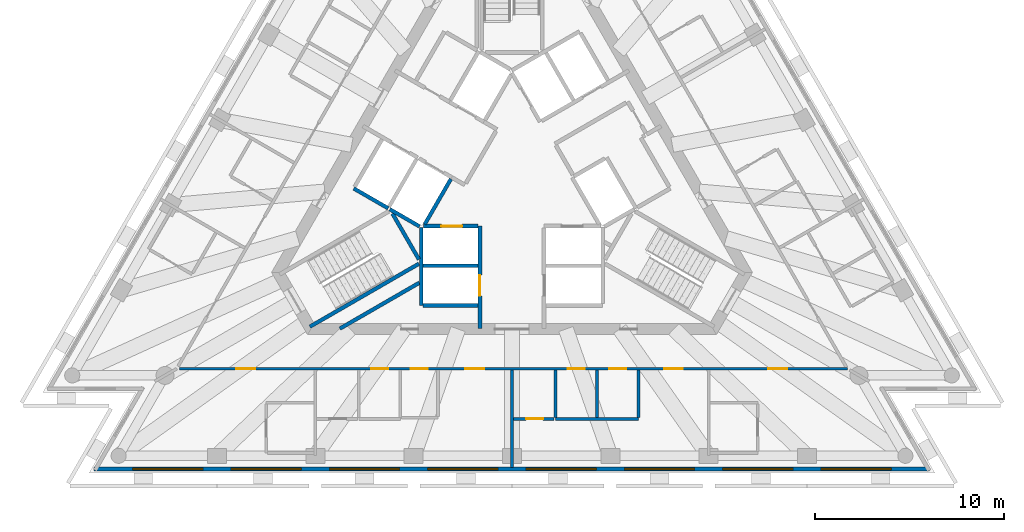
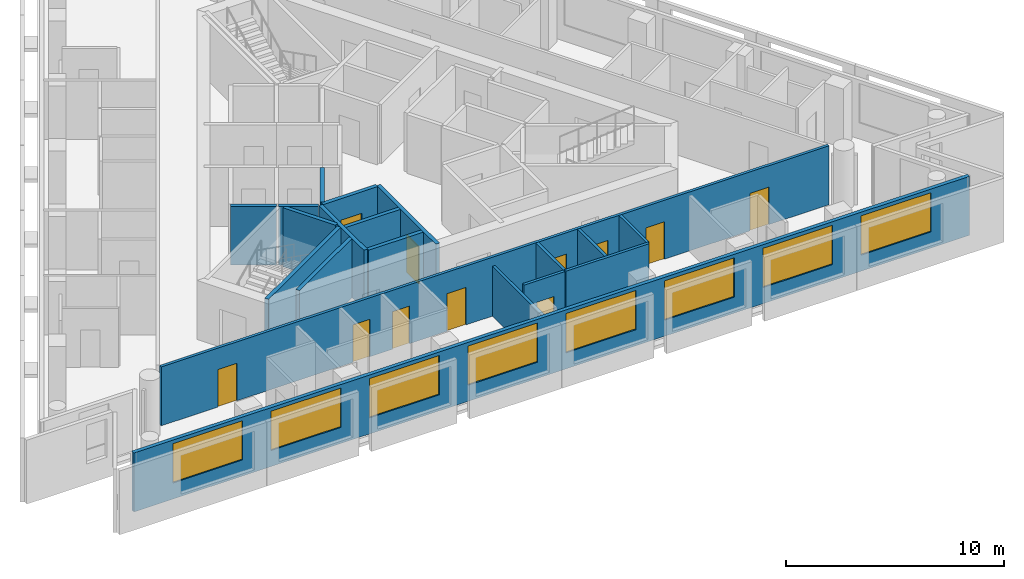
# One storey, part 3 of 10: 19 walls, 11 doors, 8 windows, 19 openings.
"""IFC4 building model written with IfcOpenShell, lengths in metres."""

from ifc_helpers import new_model, si_unit, direction, frame, frame_2d, origin, place, context, subcontext, project, spatial, rectangle, extrude, material, layer, layer_set, layer_usage, type_object, element, fill, save


model = new_model("IFC4")

# Units and contexts
model_context = context("Model", 3, precision=1e-05, world=origin(), true_north=direction((0.0, 1.0)))
body_context = subcontext(model_context, "Body", "Model", "MODEL_VIEW")
ifc_project = project(units=[si_unit("LENGTHUNIT", "METRE"), si_unit("AREAUNIT", "SQUARE_METRE"), si_unit("VOLUMEUNIT", "CUBIC_METRE"), si_unit("PLANEANGLEUNIT", "RADIAN"), si_unit("MASSUNIT", "GRAM", prefix="KILO")], contexts=[model_context])

# Site, building, storey
site_placement = place(None, origin())
site = spatial("IfcSite", under=ifc_project, at=site_placement, CompositionType="ELEMENT")
building_placement = place(site_placement, origin())
building = spatial("IfcBuilding", under=site, at=building_placement, Name="Triada Interchange Tower", CompositionType="ELEMENT")
storey_placement = place(building_placement, frame((0.0, 0.0, 311.5)))
storey = spatial("IfcBuildingStorey", under=building, at=storey_placement, Name="L74", CompositionType="ELEMENT", Elevation=311.5)

# Walls
ifc_material_1 = material(Name="Concrete C30/37", Category="concrete")
ifc_layer_1 = layer(ifc_material_1, 0.199951171875)
ifc_layer_set_1 = layer_set([ifc_layer_1], Name="CORE WALL 200 EI 120")
wall_type_1 = type_object("IfcWallType", Name="CORE WALL 200 EI 120", PredefinedType="SOLIDWALL", material=ifc_layer_set_1)
wall_1_placement = place(storey_placement, frame((-8.3759765625, -0.70703125, 0.0), z_axis=(0.0, 0.0, 1.0), x_axis=(0.866067520717, -0.499927044236, 0.0)))
element("IfcWall", 1, at=wall_1_placement, inside=storey, type_object=wall_type_1, Name="Wall L74 64", PredefinedType="SOLIDWALL", context=body_context, shape_type="SweptSolid", body=[
    extrude(rectangle(XDim=2.100341796875, YDim=0.199951171875, at=frame_2d((1.05029296875, 0.0))), origin(), (0.0, 0.0, 1.0), 3.300048828125),
])
wall_2_placement = place(storey_placement, frame((-4.800048828125, -6.89990234375, 0.0), z_axis=(0.0, 0.0, 1.0), x_axis=(0.0, 1.0, 0.0)))
element("IfcWall", 2, at=wall_2_placement, inside=storey, type_object=wall_type_1, Name="Wall L74 66", PredefinedType="SOLIDWALL", context=body_context, shape_type="SweptSolid", body=[
    extrude(rectangle(XDim=4.130859375, YDim=0.199951171875, at=frame_2d((2.0654296875, 0.0))), origin(), (0.0, 0.0, 1.0), 3.300048828125),
])
for number, where, z_axis, x_axis, name in (
    (3, (-4.699951171875, -6.89990234375, 0.0), (0.0, 0.0, 1.0), (1.0, 0.0, 0.0), "Wall L74 67"),
    (4, (-4.699951171875, -4.800048828125, 0.0), (0.0, 0.0, 1.0), (1.0, 0.0, 0.0), "Wall L74 69"),
):
    element("IfcWall", number, at=place(storey_placement, frame(where, z_axis=z_axis, x_axis=x_axis)), inside=storey, type_object=wall_type_1, Name=name, PredefinedType="SOLIDWALL", context=body_context, shape_type="SweptSolid", body=[
        extrude(rectangle(XDim=2.89990234375, YDim=0.199951171875, at=frame_2d((1.449951171875, 0.0))), origin(), (0.0, 0.0, 1.0), 3.300048828125),
    ])

# Wall, opening, door
wall_3_placement = place(storey_placement, frame((-1.699951171875, -8.1298828125, 0.0), z_axis=(0.0, 0.0, 1.0), x_axis=(0.0, 1.0, 0.0)))
wall_3 = element("IfcWall", 5, at=wall_3_placement, inside=storey, type_object=wall_type_1, Name="Wall L74 71", PredefinedType="SOLIDWALL", context=body_context, shape_type="SweptSolid", body=[
    extrude(rectangle(XDim=5.427001953125, YDim=0.199951171875, at=frame_2d((2.71337890625, 0.0))), origin(), (0.0, 0.0, 1.0), 3.300048828125),
])
opening_1_placement = place(wall_3_placement, frame((1.72998046875, 0.0, 0.0)))
opening_1 = element("IfcOpeningElement", 6, at=opening_1_placement, cuts=wall_3, Name="Opening LD-HR4", PredefinedType="OPENING", context=body_context, shape_type="SweptSolid", body=[
    extrude(rectangle(XDim=1.10009765625, YDim=2.10009765625, at=frame_2d((0.550048828125, 1.050048828125))), frame((0.0, 0.10986328125, 0.0), z_axis=(0.0, -1.0, 0.0), x_axis=(1.0, 0.0, 0.0)), (0.0, 0.0, 1.0), 0.219970703125),
])
ifc_material_2 = material(Name="Steel S235 door leaf", Category="steel")
door_type_1 = type_object("IfcDoorType", Name="LIFT LANDING DOOR 1100 EI 120", OperationType="SLIDING_TO_LEFT", PredefinedType="DOOR", material=ifc_material_2)
door_1_placement = place(opening_1_placement, origin())
door_1 = element("IfcDoor", 7, at=door_1_placement, inside=storey, type_object=door_type_1, Name="HR4 landing door L74", OperationType="SLIDING_TO_LEFT", OverallHeight=2.10009765625, OverallWidth=1.10009765625, PredefinedType="DOOR", context=body_context, shape_type="SweptSolid", body=[
    extrude(rectangle(XDim=1.10009765625, YDim=2.10009765625, at=frame_2d((0.550048828125, 1.050048828125))), frame((0.0, 0.02490234375, 0.0), z_axis=(0.0, -1.0, 0.0), x_axis=(1.0, 0.0, 0.0)), (0.0, 0.0, 1.0), 0.050048828125),
])
fill(opening_1, door_1)

wall_4_placement = place(storey_placement, frame((-4.676025390625, -2.699951171875, 0.0), z_axis=(0.0, 0.0, 1.0), x_axis=(1.0, 0.0, 0.0)))
wall_4 = element("IfcWall", 8, at=wall_4_placement, inside=storey, type_object=wall_type_1, Name="Wall L74 72", PredefinedType="SOLIDWALL", context=body_context, shape_type="SweptSolid", body=[
    extrude(rectangle(XDim=2.873046875, YDim=0.199951171875, at=frame_2d((1.4365234375, 0.0))), origin(), (0.0, 0.0, 1.0), 3.300048828125),
])
opening_2_placement = place(wall_4_placement, frame((0.93701171875, 0.0, 0.0)))
opening_2 = element("IfcOpeningElement", 9, at=opening_2_placement, cuts=wall_4, Name="Opening LD-HR3", PredefinedType="OPENING", context=body_context, shape_type="SweptSolid", body=[
    extrude(rectangle(XDim=1.10009765625, YDim=2.10009765625, at=frame_2d((0.550048828125, 1.050048828125))), frame((0.0, 0.10986328125, 0.0), z_axis=(0.0, -1.0, 0.0), x_axis=(1.0, 0.0, 0.0)), (0.0, 0.0, 1.0), 0.219970703125),
])
door_2_placement = place(opening_2_placement, origin())
door_2 = element("IfcDoor", 10, at=door_2_placement, inside=storey, type_object=door_type_1, Name="HR3 landing door L74", OperationType="SLIDING_TO_LEFT", OverallHeight=2.10009765625, OverallWidth=1.10009765625, PredefinedType="DOOR", context=body_context, shape_type="SweptSolid", body=[
    extrude(rectangle(XDim=1.10009765625, YDim=2.10009765625, at=frame_2d((0.550048828125, 1.050048828125))), frame((0.0, 0.02490234375, 0.0), z_axis=(0.0, -1.0, 0.0), x_axis=(1.0, 0.0, 0.0)), (0.0, 0.0, 1.0), 0.050048828125),
])
fill(opening_2, door_2)

# Walls
ifc_layer_2 = layer(ifc_material_1, 0.199951171875)
ifc_layer_set_2 = layer_set([ifc_layer_2], Name="CORE WALL 200 EI 180")
wall_type_2 = type_object("IfcWallType", Name="CORE WALL 200 EI 180", PredefinedType="SOLIDWALL", material=ifc_layer_set_2)
wall_5_placement = place(storey_placement, frame((-6.469970703125, -1.806884765625, 0.0), z_axis=(0.0, 0.0, 1.0), x_axis=(0.865883195159, -0.500246231712, 0.0)))
element("IfcWall", 11, at=wall_5_placement, inside=storey, type_object=wall_type_2, Name="Shaft wall FF1 L74 97", PredefinedType="SOLIDWALL", context=body_context, shape_type="SweptSolid", body=[
    extrude(rectangle(XDim=1.8154296875, YDim=0.199951171875, at=frame_2d((0.90771484375, 0.0))), origin(), (0.0, 0.0, 1.0), 3.300048828125),
])
wall_6_placement = place(storey_placement, frame((-4.618896484375, -2.60009765625, 0.0), z_axis=(0.0, 0.0, 1.0), x_axis=(0.50009492287, 0.865970593103, 0.0)))
element("IfcWall", 12, at=wall_6_placement, inside=storey, type_object=wall_type_2, Name="Shaft wall FF1 L74 99", PredefinedType="SOLIDWALL", context=body_context, shape_type="SweptSolid", body=[
    extrude(rectangle(XDim=2.76123046875, YDim=0.199951171875, at=frame_2d((1.380615234375, 0.0))), origin(), (0.0, 0.0, 1.0), 3.300048828125),
])
ifc_layer_3 = layer(ifc_material_1, 0.199951171875)
ifc_layer_set_3 = layer_set([ifc_layer_3], Name="CORE WALL 200 EI 90")
wall_type_3 = type_object("IfcWallType", Name="CORE WALL 200 EI 90", PredefinedType="SOLIDWALL", material=ifc_layer_set_3)
wall_7_placement = place(storey_placement, frame((-9.114990234375, -8.1298828125, 0.0), z_axis=(0.0, 0.0, 1.0), x_axis=(0.866002649306, 0.500039409842, 0.0)))
element("IfcWall", 13, at=wall_7_placement, inside=storey, type_object=wall_type_3, Name="Wall L74 104", PredefinedType="SOLIDWALL", context=body_context, shape_type="SweptSolid", body=[
    extrude(rectangle(XDim=4.8671875, YDim=0.199951171875, at=frame_2d((2.43359375, 0.0))), origin(), (0.0, 0.0, 1.0), 3.300048828125),
])
ifc_layer_4 = layer(ifc_material_1, 0.199951171875)
ifc_layer_set_4 = layer_set([ifc_layer_4], Name="CORE WALL 200 REI 240")
wall_type_4 = type_object("IfcWallType", Name="CORE WALL 200 REI 240", PredefinedType="SOLIDWALL", material=ifc_layer_set_4)
wall_8_placement = place(storey_placement, frame((-6.3291015625, -2.0380859375, 0.0), z_axis=(0.0, 0.0, 1.0), x_axis=(0.500200581029, -0.865909567298, 0.0)))
element("IfcWall", 14, at=wall_8_placement, inside=storey, type_object=wall_type_4, Name="Wall L74 111", PredefinedType="SOLIDWALL", context=body_context, shape_type="SweptSolid", body=[
    extrude(rectangle(XDim=2.799072265625, YDim=0.199951171875, at=frame_2d((1.3994140625, 0.0))), origin(), (0.0, 0.0, 1.0), 3.300048828125),
])
wall_9_placement = place(storey_placement, frame((-10.700927734375, -8.02587890625, 0.0), z_axis=(0.0, 0.0, 1.0), x_axis=(0.866005022404, 0.500035299925, 0.0)))
element("IfcWall", 15, at=wall_9_placement, inside=storey, type_object=wall_type_4, Name="Wall L74 112", PredefinedType="SOLIDWALL", context=body_context, shape_type="SweptSolid", body=[
    extrude(rectangle(XDim=6.6650390625, YDim=0.199951171875, at=frame_2d((3.33251953125, 0.0))), origin(), (0.0, 0.0, 1.0), 3.300048828125),
])

# Wall, openings, windows
ifc_material_3 = material(Name="Cement board")
ifc_layer_5 = layer(ifc_material_3, 0.02001953125, Name="Cement board cladding")
ifc_material_4 = material(Name="Sheathing board")
ifc_layer_6 = layer(ifc_material_4, 0.014892578125, Name="Sheathing board")
ifc_material_5 = material(Name="Mineral wool")
ifc_layer_7 = layer(ifc_material_5, 0.14990234375, Name="Mineral wool between steel studs")
ifc_material_6 = material(Name="Gypsum board")
ifc_layer_8 = layer(ifc_material_6, 0.014892578125, Name="Plasterboard lining")
ifc_layer_set_5 = layer_set([ifc_layer_5, ifc_layer_6, ifc_layer_7, ifc_layer_8], Name="External wall 200")
ifc_layer_usage = layer_usage(ifc_layer_set_5, "AXIS2", "POSITIVE", -0.10009765625)
wall_type_5 = type_object("IfcWallType", Name="External wall 200", PredefinedType="ELEMENTEDWALL", material=ifc_layer_set_5)
wall_10_placement = place(storey_placement, frame((-22.132080078125, -15.56298828125, 0.0), z_axis=(0.0, 0.0, 1.0), x_axis=(1.0, 0.0, 0.0)))
wall_10 = element("IfcWall", 16, at=wall_10_placement, inside=storey, type_object=wall_type_5, material=ifc_layer_usage, Name="External wall L74 S", PredefinedType="ELEMENTEDWALL", context=body_context, shape_type="SweptSolid", body=[
    extrude(rectangle(XDim=44.244140625, YDim=0.199951171875, at=frame_2d((22.1220703125, 0.0))), origin(), (0.0, 0.0, 1.0), 3.300048828125),
])
opening_3_placement = place(wall_10_placement, frame((2.056884765625, 0.0, 0.89990234375)))
opening_3 = element("IfcOpeningElement", 17, at=opening_3_placement, cuts=wall_10, Name="Opening WD11", PredefinedType="OPENING", context=body_context, shape_type="SweptSolid", body=[
    extrude(rectangle(XDim=3.699951171875, YDim=2.199951171875, at=frame_2d((1.85009765625, 1.10009765625))), frame((0.0, 0.10986328125, 0.0), z_axis=(0.0, -1.0, 0.0), x_axis=(1.0, 0.0, 0.0)), (0.0, 0.0, 1.0), 0.219970703125),
])
opening_4_placement = place(wall_10_placement, frame((7.263916015625, 0.0, 0.89990234375)))
opening_4 = element("IfcOpeningElement", 18, at=opening_4_placement, cuts=wall_10, Name="Opening WD12", PredefinedType="OPENING", context=body_context, shape_type="SweptSolid", body=[
    extrude(rectangle(XDim=3.699951171875, YDim=2.199951171875, at=frame_2d((1.85009765625, 1.10009765625))), frame((0.0, 0.10986328125, 0.0), z_axis=(0.0, -1.0, 0.0), x_axis=(1.0, 0.0, 0.0)), (0.0, 0.0, 1.0), 0.219970703125),
])
opening_5_placement = place(wall_10_placement, frame((12.470947265625, 0.0, 0.89990234375)))
opening_5 = element("IfcOpeningElement", 19, at=opening_5_placement, cuts=wall_10, Name="Opening WD13", PredefinedType="OPENING", context=body_context, shape_type="SweptSolid", body=[
    extrude(rectangle(XDim=3.699951171875, YDim=2.199951171875, at=frame_2d((1.85009765625, 1.10009765625))), frame((0.0, 0.10986328125, 0.0), z_axis=(0.0, -1.0, 0.0), x_axis=(1.0, 0.0, 0.0)), (0.0, 0.0, 1.0), 0.219970703125),
])
opening_6_placement = place(wall_10_placement, frame((17.677978515625, 0.0, 0.89990234375)))
opening_6 = element("IfcOpeningElement", 20, at=opening_6_placement, cuts=wall_10, Name="Opening WD14", PredefinedType="OPENING", context=body_context, shape_type="SweptSolid", body=[
    extrude(rectangle(XDim=3.699951171875, YDim=2.199951171875, at=frame_2d((1.85009765625, 1.10009765625))), frame((0.0, 0.10986328125, 0.0), z_axis=(0.0, -1.0, 0.0), x_axis=(1.0, 0.0, 0.0)), (0.0, 0.0, 1.0), 0.219970703125),
])
opening_7_placement = place(wall_10_placement, frame((22.885986328125, 0.0, 0.89990234375)))
opening_7 = element("IfcOpeningElement", 21, at=opening_7_placement, cuts=wall_10, Name="Opening WD15", PredefinedType="OPENING", context=body_context, shape_type="SweptSolid", body=[
    extrude(rectangle(XDim=3.699951171875, YDim=2.199951171875, at=frame_2d((1.85009765625, 1.10009765625))), frame((0.0, 0.10986328125, 0.0), z_axis=(0.0, -1.0, 0.0), x_axis=(1.0, 0.0, 0.0)), (0.0, 0.0, 1.0), 0.219970703125),
])
opening_8_placement = place(wall_10_placement, frame((28.093017578125, 0.0, 0.89990234375)))
opening_8 = element("IfcOpeningElement", 22, at=opening_8_placement, cuts=wall_10, Name="Opening WD16", PredefinedType="OPENING", context=body_context, shape_type="SweptSolid", body=[
    extrude(rectangle(XDim=3.699951171875, YDim=2.199951171875, at=frame_2d((1.85009765625, 1.10009765625))), frame((0.0, 0.10986328125, 0.0), z_axis=(0.0, -1.0, 0.0), x_axis=(1.0, 0.0, 0.0)), (0.0, 0.0, 1.0), 0.219970703125),
])
opening_9_placement = place(wall_10_placement, frame((33.300048828125, 0.0, 0.89990234375)))
opening_9 = element("IfcOpeningElement", 23, at=opening_9_placement, cuts=wall_10, Name="Opening WD17", PredefinedType="OPENING", context=body_context, shape_type="SweptSolid", body=[
    extrude(rectangle(XDim=3.699951171875, YDim=2.199951171875, at=frame_2d((1.85009765625, 1.10009765625))), frame((0.0, 0.10986328125, 0.0), z_axis=(0.0, -1.0, 0.0), x_axis=(1.0, 0.0, 0.0)), (0.0, 0.0, 1.0), 0.219970703125),
])
opening_10_placement = place(wall_10_placement, frame((38.507080078125, 0.0, 0.89990234375)))
opening_10 = element("IfcOpeningElement", 24, at=opening_10_placement, cuts=wall_10, Name="Opening WD18", PredefinedType="OPENING", context=body_context, shape_type="SweptSolid", body=[
    extrude(rectangle(XDim=3.699951171875, YDim=2.199951171875, at=frame_2d((1.85009765625, 1.10009765625))), frame((0.0, 0.10986328125, 0.0), z_axis=(0.0, -1.0, 0.0), x_axis=(1.0, 0.0, 0.0)), (0.0, 0.0, 1.0), 0.219970703125),
])
ifc_material_7 = material(Name="Double glazed aluminium window", Category="aluminium")
window_type = type_object("IfcWindowType", Name="Ribbon window D face", PartitioningType="SINGLE_PANEL", PredefinedType="WINDOW", material=ifc_material_7)
window_1_placement = place(opening_3_placement, origin())
window_1 = element("IfcWindow", 25, at=window_1_placement, inside=storey, type_object=window_type, Name="Window L74 S 1", OverallHeight=2.199951171875, OverallWidth=3.699951171875, PartitioningType="SINGLE_PANEL", PredefinedType="WINDOW", context=body_context, shape_type="SweptSolid", body=[
    extrude(rectangle(XDim=3.699951171875, YDim=2.199951171875, at=frame_2d((1.85009765625, 1.10009765625))), frame((0.0, 0.030029296875, 0.0), z_axis=(0.0, -1.0, 0.0), x_axis=(1.0, 0.0, 0.0)), (0.0, 0.0, 1.0), 0.06005859375),
])
fill(opening_3, window_1)
window_2_placement = place(opening_4_placement, origin())
window_2 = element("IfcWindow", 26, at=window_2_placement, inside=storey, type_object=window_type, Name="Window L74 S 2", OverallHeight=2.199951171875, OverallWidth=3.699951171875, PartitioningType="SINGLE_PANEL", PredefinedType="WINDOW", context=body_context, shape_type="SweptSolid", body=[
    extrude(rectangle(XDim=3.699951171875, YDim=2.199951171875, at=frame_2d((1.85009765625, 1.10009765625))), frame((0.0, 0.030029296875, 0.0), z_axis=(0.0, -1.0, 0.0), x_axis=(1.0, 0.0, 0.0)), (0.0, 0.0, 1.0), 0.06005859375),
])
fill(opening_4, window_2)
window_3_placement = place(opening_5_placement, origin())
window_3 = element("IfcWindow", 27, at=window_3_placement, inside=storey, type_object=window_type, Name="Window L74 S 3", OverallHeight=2.199951171875, OverallWidth=3.699951171875, PartitioningType="SINGLE_PANEL", PredefinedType="WINDOW", context=body_context, shape_type="SweptSolid", body=[
    extrude(rectangle(XDim=3.699951171875, YDim=2.199951171875, at=frame_2d((1.85009765625, 1.10009765625))), frame((0.0, 0.030029296875, 0.0), z_axis=(0.0, -1.0, 0.0), x_axis=(1.0, 0.0, 0.0)), (0.0, 0.0, 1.0), 0.06005859375),
])
fill(opening_5, window_3)
window_4_placement = place(opening_6_placement, origin())
window_4 = element("IfcWindow", 28, at=window_4_placement, inside=storey, type_object=window_type, Name="Window L74 S 4", OverallHeight=2.199951171875, OverallWidth=3.699951171875, PartitioningType="SINGLE_PANEL", PredefinedType="WINDOW", context=body_context, shape_type="SweptSolid", body=[
    extrude(rectangle(XDim=3.699951171875, YDim=2.199951171875, at=frame_2d((1.85009765625, 1.10009765625))), frame((0.0, 0.030029296875, 0.0), z_axis=(0.0, -1.0, 0.0), x_axis=(1.0, 0.0, 0.0)), (0.0, 0.0, 1.0), 0.06005859375),
])
fill(opening_6, window_4)
window_5_placement = place(opening_7_placement, origin())
window_5 = element("IfcWindow", 29, at=window_5_placement, inside=storey, type_object=window_type, Name="Window L74 S 5", OverallHeight=2.199951171875, OverallWidth=3.699951171875, PartitioningType="SINGLE_PANEL", PredefinedType="WINDOW", context=body_context, shape_type="SweptSolid", body=[
    extrude(rectangle(XDim=3.699951171875, YDim=2.199951171875, at=frame_2d((1.85009765625, 1.10009765625))), frame((0.0, 0.030029296875, 0.0), z_axis=(0.0, -1.0, 0.0), x_axis=(1.0, 0.0, 0.0)), (0.0, 0.0, 1.0), 0.06005859375),
])
fill(opening_7, window_5)
window_6_placement = place(opening_8_placement, origin())
window_6 = element("IfcWindow", 30, at=window_6_placement, inside=storey, type_object=window_type, Name="Window L74 S 6", OverallHeight=2.199951171875, OverallWidth=3.699951171875, PartitioningType="SINGLE_PANEL", PredefinedType="WINDOW", context=body_context, shape_type="SweptSolid", body=[
    extrude(rectangle(XDim=3.699951171875, YDim=2.199951171875, at=frame_2d((1.85009765625, 1.10009765625))), frame((0.0, 0.030029296875, 0.0), z_axis=(0.0, -1.0, 0.0), x_axis=(1.0, 0.0, 0.0)), (0.0, 0.0, 1.0), 0.06005859375),
])
fill(opening_8, window_6)
window_7_placement = place(opening_9_placement, origin())
window_7 = element("IfcWindow", 31, at=window_7_placement, inside=storey, type_object=window_type, Name="Window L74 S 7", OverallHeight=2.199951171875, OverallWidth=3.699951171875, PartitioningType="SINGLE_PANEL", PredefinedType="WINDOW", context=body_context, shape_type="SweptSolid", body=[
    extrude(rectangle(XDim=3.699951171875, YDim=2.199951171875, at=frame_2d((1.85009765625, 1.10009765625))), frame((0.0, 0.030029296875, 0.0), z_axis=(0.0, -1.0, 0.0), x_axis=(1.0, 0.0, 0.0)), (0.0, 0.0, 1.0), 0.06005859375),
])
fill(opening_9, window_7)
window_8_placement = place(opening_10_placement, origin())
window_8 = element("IfcWindow", 32, at=window_8_placement, inside=storey, type_object=window_type, Name="Window L74 S 8", OverallHeight=2.199951171875, OverallWidth=3.699951171875, PartitioningType="SINGLE_PANEL", PredefinedType="WINDOW", context=body_context, shape_type="SweptSolid", body=[
    extrude(rectangle(XDim=3.699951171875, YDim=2.199951171875, at=frame_2d((1.85009765625, 1.10009765625))), frame((0.0, 0.030029296875, 0.0), z_axis=(0.0, -1.0, 0.0), x_axis=(1.0, 0.0, 0.0)), (0.0, 0.0, 1.0), 0.06005859375),
])
fill(opening_10, window_8)

# Wall, openings, doors
ifc_material_8 = material(Name="Gypsum board partition")
ifc_layer_9 = layer(ifc_material_8, 0.14990234375)
ifc_layer_set_6 = layer_set([ifc_layer_9], Name="PARTITION 150 EI 180")
wall_type_6 = type_object("IfcWallType", Name="PARTITION 150 EI 180", PredefinedType="PARTITIONING", material=ifc_layer_set_6)
wall_11_placement = place(storey_placement, frame((-17.60400390625, -10.25, 0.0), z_axis=(0.0, 0.0, 1.0), x_axis=(1.0, 0.0, 0.0)))
wall_11 = element("IfcWall", 33, at=wall_11_placement, inside=storey, type_object=wall_type_6, Name="Wall L74 5", PredefinedType="PARTITIONING", context=body_context, shape_type="SweptSolid", body=[
    extrude(rectangle(XDim=35.35791015625, YDim=0.14990234375, at=frame_2d((17.678955078125, 0.0))), origin(), (0.0, 0.0, 1.0), 3.300048828125),
])
opening_11_placement = place(wall_11_placement, frame((3.0, 0.0, 0.0)))
opening_11 = element("IfcOpeningElement", 34, at=opening_11_placement, cuts=wall_11, Name="Opening D74-11", PredefinedType="OPENING", context=body_context, shape_type="SweptSolid", body=[
    extrude(rectangle(XDim=1.0, YDim=2.10009765625, at=frame_2d((0.5, 1.050048828125))), frame((0.0, 0.0849609375, 0.0), z_axis=(0.0, -1.0, 0.0), x_axis=(1.0, 0.0, 0.0)), (0.0, 0.0, 1.0), 0.169921875),
])
opening_12_placement = place(wall_11_placement, frame((15.139892578125, 0.0, 0.0)))
opening_12 = element("IfcOpeningElement", 35, at=opening_12_placement, cuts=wall_11, Name="Opening D74-13", PredefinedType="OPENING", context=body_context, shape_type="SweptSolid", body=[
    extrude(rectangle(XDim=1.0, YDim=2.10009765625, at=frame_2d((0.5, 1.050048828125))), frame((0.0, 0.0849609375, 0.0), z_axis=(0.0, -1.0, 0.0), x_axis=(1.0, 0.0, 0.0)), (0.0, 0.0, 1.0), 0.169921875),
])
opening_13_placement = place(wall_11_placement, frame((10.139892578125, 0.0, 0.0)))
opening_13 = element("IfcOpeningElement", 36, at=opening_13_placement, cuts=wall_11, Name="Opening D74-15", PredefinedType="OPENING", context=body_context, shape_type="SweptSolid", body=[
    extrude(rectangle(XDim=0.89990234375, YDim=2.10009765625, at=frame_2d((0.449951171875, 1.050048828125))), frame((0.0, 0.0849609375, 0.0), z_axis=(0.0, -1.0, 0.0), x_axis=(1.0, 0.0, 0.0)), (0.0, 0.0, 1.0), 0.169921875),
])
opening_14_placement = place(wall_11_placement, frame((12.239990234375, 0.0, 0.0)))
opening_14 = element("IfcOpeningElement", 37, at=opening_14_placement, cuts=wall_11, Name="Opening D74-16", PredefinedType="OPENING", context=body_context, shape_type="SweptSolid", body=[
    extrude(rectangle(XDim=0.89990234375, YDim=2.10009765625, at=frame_2d((0.449951171875, 1.050048828125))), frame((0.0, 0.0849609375, 0.0), z_axis=(0.0, -1.0, 0.0), x_axis=(1.0, 0.0, 0.0)), (0.0, 0.0, 1.0), 0.169921875),
])
opening_15_placement = place(wall_11_placement, frame((25.654052734375, 0.0, 0.0)))
opening_15 = element("IfcOpeningElement", 38, at=opening_15_placement, cuts=wall_11, Name="Opening D74-17", PredefinedType="OPENING", context=body_context, shape_type="SweptSolid", body=[
    extrude(rectangle(XDim=1.0, YDim=2.10009765625, at=frame_2d((0.5, 1.050048828125))), frame((0.0, 0.0849609375, 0.0), z_axis=(0.0, -1.0, 0.0), x_axis=(1.0, 0.0, 0.0)), (0.0, 0.0, 1.0), 0.169921875),
])
opening_16_placement = place(wall_11_placement, frame((20.553955078125, 0.0, 0.0)))
opening_16 = element("IfcOpeningElement", 39, at=opening_16_placement, cuts=wall_11, Name="Opening D74-19", PredefinedType="OPENING", context=body_context, shape_type="SweptSolid", body=[
    extrude(rectangle(XDim=0.89990234375, YDim=2.10009765625, at=frame_2d((0.449951171875, 1.050048828125))), frame((0.0, 0.0849609375, 0.0), z_axis=(0.0, -1.0, 0.0), x_axis=(1.0, 0.0, 0.0)), (0.0, 0.0, 1.0), 0.169921875),
])
opening_17_placement = place(wall_11_placement, frame((22.75390625, 0.0, 0.0)))
opening_17 = element("IfcOpeningElement", 40, at=opening_17_placement, cuts=wall_11, Name="Opening D74-20", PredefinedType="OPENING", context=body_context, shape_type="SweptSolid", body=[
    extrude(rectangle(XDim=0.89990234375, YDim=2.10009765625, at=frame_2d((0.449951171875, 1.050048828125))), frame((0.0, 0.0849609375, 0.0), z_axis=(0.0, -1.0, 0.0), x_axis=(1.0, 0.0, 0.0)), (0.0, 0.0, 1.0), 0.169921875),
])
opening_18_placement = place(wall_11_placement, frame((31.16796875, 0.0, 0.0)))
opening_18 = element("IfcOpeningElement", 41, at=opening_18_placement, cuts=wall_11, Name="Opening D74-21", PredefinedType="OPENING", context=body_context, shape_type="SweptSolid", body=[
    extrude(rectangle(XDim=1.0, YDim=2.10009765625, at=frame_2d((0.5, 1.050048828125))), frame((0.0, 0.0849609375, 0.0), z_axis=(0.0, -1.0, 0.0), x_axis=(1.0, 0.0, 0.0)), (0.0, 0.0, 1.0), 0.169921875),
])
door_type_2 = type_object("IfcDoorType", Name="GUEST ROOM DOOR 1000 EI2 90-C5S200", OperationType="NOTDEFINED", PredefinedType="DOOR", material=ifc_material_2)
door_3_placement = place(opening_11_placement, origin())
door_3 = element("IfcDoor", 42, at=door_3_placement, inside=storey, type_object=door_type_2, Name="Door D74-11 L74", OperationType="SINGLE_SWING_RIGHT", OverallHeight=2.10009765625, OverallWidth=1.0, PredefinedType="DOOR", context=body_context, shape_type="SweptSolid", body=[
    extrude(rectangle(XDim=1.0, YDim=2.10009765625, at=frame_2d((0.5, 1.050048828125))), frame((0.0, 0.02490234375, 0.0), z_axis=(0.0, -1.0, 0.0), x_axis=(1.0, 0.0, 0.0)), (0.0, 0.0, 1.0), 0.050048828125),
])
fill(opening_11, door_3)
door_4_placement = place(opening_12_placement, origin())
door_4 = element("IfcDoor", 43, at=door_4_placement, inside=storey, type_object=door_type_2, Name="Door D74-13 L74", OperationType="SINGLE_SWING_LEFT", OverallHeight=2.10009765625, OverallWidth=1.0, PredefinedType="DOOR", context=body_context, shape_type="SweptSolid", body=[
    extrude(rectangle(XDim=1.0, YDim=2.10009765625, at=frame_2d((0.5, 1.050048828125))), frame((0.0, 0.02490234375, 0.0), z_axis=(0.0, -1.0, 0.0), x_axis=(1.0, 0.0, 0.0)), (0.0, 0.0, 1.0), 0.050048828125),
])
fill(opening_12, door_4)
door_5_placement = place(opening_15_placement, origin())
door_5 = element("IfcDoor", 44, at=door_5_placement, inside=storey, type_object=door_type_2, Name="Door D74-17 L74", OperationType="SINGLE_SWING_LEFT", OverallHeight=2.10009765625, OverallWidth=1.0, PredefinedType="DOOR", context=body_context, shape_type="SweptSolid", body=[
    extrude(rectangle(XDim=1.0, YDim=2.10009765625, at=frame_2d((0.5, 1.050048828125))), frame((0.0, 0.02490234375, 0.0), z_axis=(0.0, -1.0, 0.0), x_axis=(1.0, 0.0, 0.0)), (0.0, 0.0, 1.0), 0.050048828125),
])
fill(opening_15, door_5)
door_6_placement = place(opening_18_placement, origin())
door_6 = element("IfcDoor", 45, at=door_6_placement, inside=storey, type_object=door_type_2, Name="Door D74-21 L74", OperationType="SINGLE_SWING_LEFT", OverallHeight=2.10009765625, OverallWidth=1.0, PredefinedType="DOOR", context=body_context, shape_type="SweptSolid", body=[
    extrude(rectangle(XDim=1.0, YDim=2.10009765625, at=frame_2d((0.5, 1.050048828125))), frame((0.0, 0.02490234375, 0.0), z_axis=(0.0, -1.0, 0.0), x_axis=(1.0, 0.0, 0.0)), (0.0, 0.0, 1.0), 0.050048828125),
])
fill(opening_18, door_6)
door_type_3 = type_object("IfcDoorType", Name="ROOM DOOR 900 EI2 90-C5S200", OperationType="NOTDEFINED", PredefinedType="DOOR", material=ifc_material_2)
door_7_placement = place(opening_14_placement, origin())
door_7 = element("IfcDoor", 46, at=door_7_placement, inside=storey, type_object=door_type_3, Name="Door D74-16 L74", OperationType="SINGLE_SWING_RIGHT", OverallHeight=2.10009765625, OverallWidth=0.89990234375, PredefinedType="DOOR", context=body_context, shape_type="SweptSolid", body=[
    extrude(rectangle(XDim=0.89990234375, YDim=2.10009765625, at=frame_2d((0.449951171875, 1.050048828125))), frame((0.0, 0.02490234375, 0.0), z_axis=(0.0, -1.0, 0.0), x_axis=(1.0, 0.0, 0.0)), (0.0, 0.0, 1.0), 0.050048828125),
])
fill(opening_14, door_7)
door_8_placement = place(opening_17_placement, origin())
door_8 = element("IfcDoor", 47, at=door_8_placement, inside=storey, type_object=door_type_3, Name="Door D74-20 L74", OperationType="SINGLE_SWING_RIGHT", OverallHeight=2.10009765625, OverallWidth=0.89990234375, PredefinedType="DOOR", context=body_context, shape_type="SweptSolid", body=[
    extrude(rectangle(XDim=0.89990234375, YDim=2.10009765625, at=frame_2d((0.449951171875, 1.050048828125))), frame((0.0, 0.02490234375, 0.0), z_axis=(0.0, -1.0, 0.0), x_axis=(1.0, 0.0, 0.0)), (0.0, 0.0, 1.0), 0.050048828125),
])
fill(opening_17, door_8)
door_type_4 = type_object("IfcDoorType", Name="SERVICE DOOR 900 EI2 90-C5S200", OperationType="NOTDEFINED", PredefinedType="DOOR", material=ifc_material_2)
door_9_placement = place(opening_13_placement, origin())
door_9 = element("IfcDoor", 48, at=door_9_placement, inside=storey, type_object=door_type_4, Name="Door D74-15 L74", OperationType="SINGLE_SWING_RIGHT", OverallHeight=2.10009765625, OverallWidth=0.89990234375, PredefinedType="DOOR", context=body_context, shape_type="SweptSolid", body=[
    extrude(rectangle(XDim=0.89990234375, YDim=2.10009765625, at=frame_2d((0.449951171875, 1.050048828125))), frame((0.0, 0.02490234375, 0.0), z_axis=(0.0, -1.0, 0.0), x_axis=(1.0, 0.0, 0.0)), (0.0, 0.0, 1.0), 0.050048828125),
])
fill(opening_13, door_9)
door_10_placement = place(opening_16_placement, origin())
door_10 = element("IfcDoor", 49, at=door_10_placement, inside=storey, type_object=door_type_4, Name="Door D74-19 L74", OperationType="SINGLE_SWING_RIGHT", OverallHeight=2.10009765625, OverallWidth=0.89990234375, PredefinedType="DOOR", context=body_context, shape_type="SweptSolid", body=[
    extrude(rectangle(XDim=0.89990234375, YDim=2.10009765625, at=frame_2d((0.449951171875, 1.050048828125))), frame((0.0, 0.02490234375, 0.0), z_axis=(0.0, -1.0, 0.0), x_axis=(1.0, 0.0, 0.0)), (0.0, 0.0, 1.0), 0.050048828125),
])
fill(opening_16, door_10)

# Walls
wall_12_placement = place(storey_placement, frame((2.300048828125, -12.906005859375, 0.0), z_axis=(0.0, 0.0, 1.0), x_axis=(1.0, 0.0, 0.0)))
element("IfcWall", 50, at=wall_12_placement, inside=storey, type_object=wall_type_6, Name="Wall L74 15", PredefinedType="PARTITIONING", context=body_context, shape_type="SweptSolid", body=[
    extrude(rectangle(XDim=4.39990234375, YDim=0.14990234375, at=frame_2d((2.199951171875, 0.0))), origin(), (0.0, 0.0, 1.0), 3.300048828125),
])
wall_13_placement = place(storey_placement, frame((0.0, -15.48291015625, 0.0), z_axis=(0.0, 0.0, 1.0), x_axis=(0.0, 1.0, 0.0)))
element("IfcWall", 51, at=wall_13_placement, inside=storey, type_object=wall_type_6, Name="Wall L74 20", PredefinedType="PARTITIONING", context=body_context, shape_type="SweptSolid", body=[
    extrude(rectangle(XDim=5.157958984375, YDim=0.14990234375, at=frame_2d((2.5791015625, 0.0))), origin(), (0.0, 0.0, 1.0), 2.800048828125),
])
for number, where, z_axis, x_axis, name in (
    (52, (2.300048828125, -12.83203125, 0.0), (0.0, 0.0, 1.0), (0.0, 1.0, 0.0), "Wall L74 23"),
    (53, (6.699951171875, -12.83203125, 0.0), (0.0, 0.0, 1.0), (0.0, 1.0, 0.0), "Wall L74 25"),
    (54, (4.5, -12.83203125, 0.0), (0.0, 0.0, 1.0), (0.0, 1.0, 0.0), "Wall L74 26"),
):
    element("IfcWall", number, at=place(storey_placement, frame(where, z_axis=z_axis, x_axis=x_axis)), inside=storey, type_object=wall_type_6, Name=name, PredefinedType="PARTITIONING", context=body_context, shape_type="SweptSolid", body=[
        extrude(rectangle(XDim=2.507080078125, YDim=0.14990234375, at=frame_2d((1.25341796875, 0.0))), origin(), (0.0, 0.0, 1.0), 3.300048828125),
    ])

# Wall, opening, door
ifc_layer_10 = layer(ifc_material_8, 0.14990234375)
ifc_layer_set_7 = layer_set([ifc_layer_10], Name="PARTITION 150 EI 90")
wall_type_7 = type_object("IfcWallType", Name="PARTITION 150 EI 90", PredefinedType="PARTITIONING", material=ifc_layer_set_7)
wall_14_placement = place(storey_placement, frame((0.074951171875, -12.906005859375, 0.0), z_axis=(0.0, 0.0, 1.0), x_axis=(1.0, 0.0, 0.0)))
wall_14 = element("IfcWall", 55, at=wall_14_placement, inside=storey, type_object=wall_type_7, Name="Wall L74 45", PredefinedType="PARTITIONING", context=body_context, shape_type="SweptSolid", body=[
    extrude(rectangle(XDim=2.152099609375, YDim=0.14990234375, at=frame_2d((1.076171875, 0.0))), origin(), (0.0, 0.0, 1.0), 3.300048828125),
])
opening_19_placement = place(wall_14_placement, frame((0.675048828125, 0.0, 0.0)))
opening_19 = element("IfcOpeningElement", 56, at=opening_19_placement, cuts=wall_14, Name="Opening D74-18", PredefinedType="OPENING", context=body_context, shape_type="SweptSolid", body=[
    extrude(rectangle(XDim=0.89990234375, YDim=2.10009765625, at=frame_2d((0.449951171875, 1.050048828125))), frame((0.0, 0.0849609375, 0.0), z_axis=(0.0, -1.0, 0.0), x_axis=(1.0, 0.0, 0.0)), (0.0, 0.0, 1.0), 0.169921875),
])
door_type_5 = type_object("IfcDoorType", Name="ROOM DOOR 900 EI2 45-C5S200", OperationType="NOTDEFINED", PredefinedType="DOOR", material=ifc_material_2)
door_11_placement = place(opening_19_placement, origin())
door_11 = element("IfcDoor", 57, at=door_11_placement, inside=storey, type_object=door_type_5, Name="Door D74-18 L74", OperationType="SINGLE_SWING_LEFT", OverallHeight=2.10009765625, OverallWidth=0.89990234375, PredefinedType="DOOR", context=body_context, shape_type="SweptSolid", body=[
    extrude(rectangle(XDim=0.89990234375, YDim=2.10009765625, at=frame_2d((0.449951171875, 1.050048828125))), frame((0.0, 0.02490234375, 0.0), z_axis=(0.0, -1.0, 0.0), x_axis=(1.0, 0.0, 0.0)), (0.0, 0.0, 1.0), 0.050048828125),
])
fill(opening_19, door_11)

save(model, "model.ifc")
